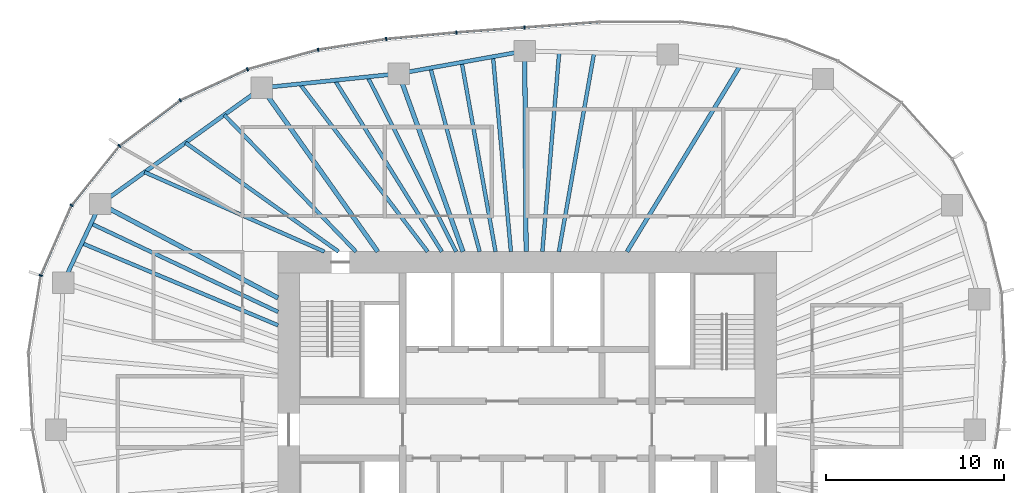
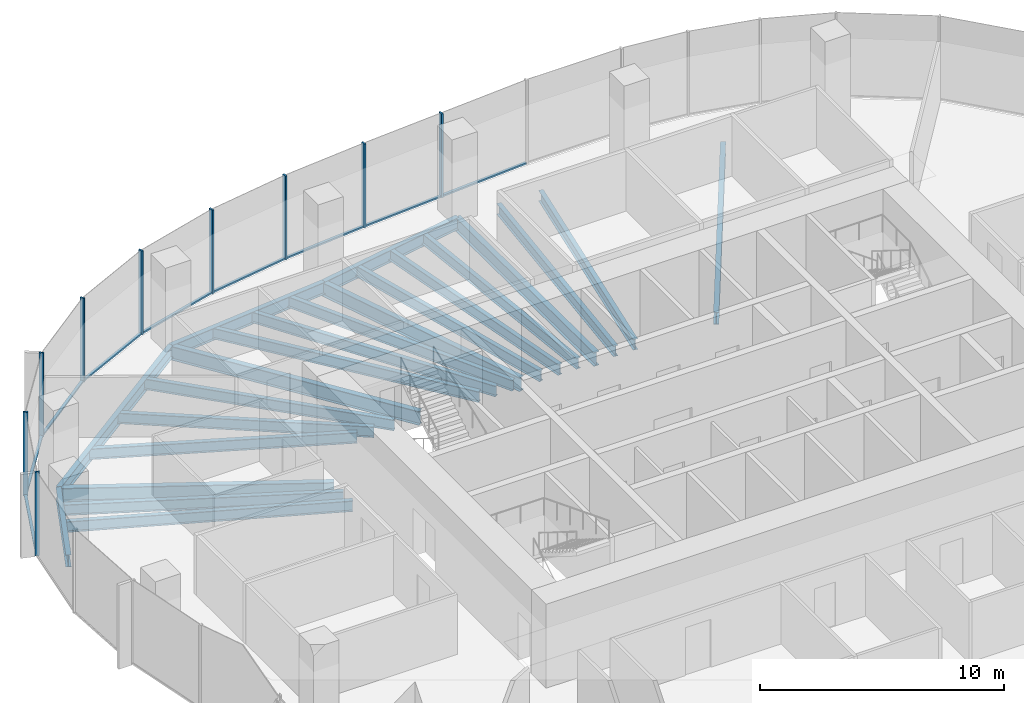
# One storey, part 5 of 12: 22 beams, 18 members, 6 elements without a shape of their own.
"""IFC4 building model written with IfcOpenShell, lengths in metres."""

from ifc_helpers import new_model, si_unit, direction, frame, origin, origin_2d, place, context, subcontext, project, spatial, rectangle, i_section, extrude, material, material_profile, profile_set, type_object, element, aggregate, save


model = new_model("IFC4")

# Units and contexts
model_context = context("Model", 3, precision=1e-05, world=origin(), true_north=direction((0.0, 1.0)))
body_context = subcontext(model_context, "Body", "Model", "MODEL_VIEW")
ifc_project = project(units=[si_unit("LENGTHUNIT", "METRE"), si_unit("AREAUNIT", "SQUARE_METRE"), si_unit("VOLUMEUNIT", "CUBIC_METRE"), si_unit("PLANEANGLEUNIT", "RADIAN"), si_unit("MASSUNIT", "GRAM", prefix="KILO")], contexts=[model_context])

# Site, building, storey
site_placement = place(None, origin())
site = spatial("IfcSite", under=ifc_project, at=site_placement, CompositionType="ELEMENT")
building_placement = place(site_placement, origin())
building = spatial("IfcBuilding", under=site, at=building_placement, Name="Ghaith Harvest Tower", CompositionType="ELEMENT")
storey_placement = place(building_placement, frame((0.0, 0.0, 232.60009765625)))
storey = spatial("IfcBuildingStorey", under=building, at=storey_placement, Name="L51", CompositionType="ELEMENT", Elevation=232.60009765625)

# Curtain wall, members
ifc_material_1 = material(Name="Black anodised aluminium and fritted glass", Category="aluminium")
curtain_wall_type = type_object("IfcCurtainWallType", Name="CW-H CURTAIN WALL", PredefinedType="NOTDEFINED", material=ifc_material_1)
curtain_wall_1_placement = place(storey_placement, origin())
curtain_wall_1 = element("IfcCurtainWall", 1, at=curtain_wall_1_placement, inside=storey, type_object=curtain_wall_type, Name="Curtain wall CW-H bay 06 L51", PredefinedType="NOTDEFINED")
ifc_material_2 = material(Name="Aluminium, black anodised", Category="aluminium")
ifc_material_profile_1 = material_profile(ifc_material_2, rectangle(XDim=0.080078125, YDim=0.199951171875, at=origin_2d()), Name="CW-H MULLION 80x200")
ifc_profile_set_1 = profile_set([ifc_material_profile_1], Name="Aluminium, black anodised")
member_type_1 = type_object("IfcMemberType", Name="CW-H MULLION 80x200", PredefinedType="MULLION", material=ifc_profile_set_1)
member_1_placement = place(storey_placement, frame((-0.154541015625, 22.590576171875, 0.0), z_axis=(0.0, 0.0, 1.0), x_axis=(-0.997329249665, -0.073036756239, 0.0)))
member_1 = element("IfcMember", 2, at=member_1_placement, type_object=member_type_1, Name="CW-H mullion 1 bay 06 L51", PredefinedType="MULLION", context=body_context, shape_type="SweptSolid", body=[
    extrude(rectangle(XDim=0.080078125, YDim=0.199951171875, at=origin_2d()), origin(), (0.0, 0.0, 1.0), 4.199951171875),
])
member_2_placement = place(storey_placement, frame((-3.984375, 22.310302734375, 0.0), z_axis=(0.0, 0.0, 1.0), x_axis=(-0.996522526822, -0.083323787336, 0.0)))
member_2 = element("IfcMember", 3, at=member_2_placement, type_object=member_type_1, Name="CW-H mullion 2 bay 06 L51", PredefinedType="MULLION", context=body_context, shape_type="SweptSolid", body=[
    extrude(rectangle(XDim=0.080078125, YDim=0.199951171875, at=origin_2d()), origin(), (0.0, 0.0, 1.0), 4.199951171875),
])

curtain_wall_2_placement = place(storey_placement, origin())
curtain_wall_2 = element("IfcCurtainWall", 4, at=curtain_wall_2_placement, inside=storey, type_object=curtain_wall_type, Name="Curtain wall CW-H bay 07 L51", PredefinedType="NOTDEFINED")
member_3_placement = place(storey_placement, frame((-7.924560546875, 21.94091796875, 0.0), z_axis=(0.0, 0.0, 1.0), x_axis=(-0.992235485325, -0.124373396119, 0.0)))
member_3 = element("IfcMember", 5, at=member_3_placement, type_object=member_type_1, Name="CW-H mullion 1 bay 07 L51", PredefinedType="MULLION", context=body_context, shape_type="SweptSolid", body=[
    extrude(rectangle(XDim=0.080078125, YDim=0.199951171875, at=origin_2d()), origin(), (0.0, 0.0, 1.0), 4.199951171875),
])
member_4_placement = place(storey_placement, frame((-11.75244140625, 21.336669921875, 0.0), z_axis=(0.0, 0.0, 1.0), x_axis=(-0.977086484172, -0.212842670646, 0.0)))
member_4 = element("IfcMember", 6, at=member_4_placement, type_object=member_type_1, Name="CW-H mullion 2 bay 07 L51", PredefinedType="MULLION", context=body_context, shape_type="SweptSolid", body=[
    extrude(rectangle(XDim=0.080078125, YDim=0.199951171875, at=origin_2d()), origin(), (0.0, 0.0, 1.0), 4.199951171875),
])

curtain_wall_3_placement = place(storey_placement, origin())
curtain_wall_3 = element("IfcCurtainWall", 7, at=curtain_wall_3_placement, inside=storey, type_object=curtain_wall_type, Name="Curtain wall CW-H bay 08 L51", PredefinedType="NOTDEFINED")
member_5_placement = place(storey_placement, frame((-15.720947265625, 20.242431640625, 0.0), z_axis=(0.0, 0.0, 1.0), x_axis=(-0.938930986476, -0.344105510906, 0.0)))
member_5 = element("IfcMember", 8, at=member_5_placement, type_object=member_type_1, Name="CW-H mullion 1 bay 08 L51", PredefinedType="MULLION", context=body_context, shape_type="SweptSolid", body=[
    extrude(rectangle(XDim=0.080078125, YDim=0.199951171875, at=origin_2d()), origin(), (0.0, 0.0, 1.0), 4.199951171875),
])
member_6_placement = place(storey_placement, frame((-19.4951171875, 18.4990234375, 0.0), z_axis=(0.0, 0.0, 1.0), x_axis=(-0.857998754004, -0.513651767376, 0.0)))
member_6 = element("IfcMember", 9, at=member_6_placement, type_object=member_type_1, Name="CW-H mullion 2 bay 08 L51", PredefinedType="MULLION", context=body_context, shape_type="SweptSolid", body=[
    extrude(rectangle(XDim=0.080078125, YDim=0.199951171875, at=origin_2d()), origin(), (0.0, 0.0, 1.0), 4.199951171875),
])

curtain_wall_4_placement = place(storey_placement, origin())
curtain_wall_4 = element("IfcCurtainWall", 10, at=curtain_wall_4_placement, inside=storey, type_object=curtain_wall_type, Name="Curtain wall CW-H bay 09 L51", PredefinedType="NOTDEFINED")
member_7_placement = place(storey_placement, frame((-22.908203125, 15.939697265625, 0.0), z_axis=(0.0, 0.0, 1.0), x_axis=(-0.719146135082, -0.694858860774, 0.0)))
member_7 = element("IfcMember", 11, at=member_7_placement, type_object=member_type_1, Name="CW-H mullion 1 bay 09 L51", PredefinedType="MULLION", context=body_context, shape_type="SweptSolid", body=[
    extrude(rectangle(XDim=0.080078125, YDim=0.199951171875, at=origin_2d()), origin(), (0.0, 0.0, 1.0), 4.199951171875),
])
member_8_placement = place(storey_placement, frame((-25.599609375, 12.6005859375, 0.0), z_axis=(0.0, 0.0, 1.0), x_axis=(-0.518769201232, -0.854914332464, 0.0)))
member_8 = element("IfcMember", 12, at=member_8_placement, type_object=member_type_1, Name="CW-H mullion 2 bay 09 L51", PredefinedType="MULLION", context=body_context, shape_type="SweptSolid", body=[
    extrude(rectangle(XDim=0.080078125, YDim=0.199951171875, at=origin_2d()), origin(), (0.0, 0.0, 1.0), 4.199951171875),
])

# Curtain wall, member
curtain_wall_5_placement = place(storey_placement, origin())
curtain_wall_5 = element("IfcCurtainWall", 13, at=curtain_wall_5_placement, inside=storey, type_object=curtain_wall_type, Name="Curtain wall CW-H bay 10 L51", PredefinedType="NOTDEFINED")
member_9_placement = place(storey_placement, frame((-27.32568359375, 8.659912109375, 0.0), z_axis=(0.0, 0.0, 1.0), x_axis=(-0.280520268431, -0.959848102045, 0.0)))
member_9 = element("IfcMember", 14, at=member_9_placement, type_object=member_type_1, Name="CW-H mullion 1 bay 10 L51", PredefinedType="MULLION", context=body_context, shape_type="SweptSolid", body=[
    extrude(rectangle(XDim=0.080078125, YDim=0.199951171875, at=origin_2d()), origin(), (0.0, 0.0, 1.0), 4.199951171875),
])
aggregate(curtain_wall_5, [member_9])

curtain_wall_6_placement = place(storey_placement, origin())
curtain_wall_6 = element("IfcCurtainWall", 15, at=curtain_wall_6_placement, inside=storey, type_object=curtain_wall_type, Name="Curtain wall CW-H bay 05 L51", PredefinedType="NOTDEFINED")
ifc_material_3 = material(Name="Aluminium, black anodised", Category="aluminium")
ifc_material_profile_2 = material_profile(ifc_material_3, rectangle(XDim=0.1298828125, YDim=0.080078125, at=origin_2d()), Name="CW-H TRANSOM 130x80")
ifc_profile_set_2 = profile_set([ifc_material_profile_2], Name="Aluminium, black anodised")
member_type_2 = type_object("IfcMemberType", Name="CW-H TRANSOM 130x80", PredefinedType="USERDEFINED", material=ifc_profile_set_2)
member_10_placement = place(storey_placement, frame((4.01953125, 22.896484375, 0.039794921875), z_axis=(-0.997325457985, -0.07308851384, 0.0), x_axis=(0.07308851384, -0.997325457985, 0.0)))
member_10 = element("IfcMember", 16, at=member_10_placement, type_object=member_type_2, Name="CW-H transom 2 bay 05 L51", ObjectType="TRANSOM", PredefinedType="USERDEFINED", context=body_context, shape_type="SweptSolid", body=[
    extrude(rectangle(XDim=0.1298828125, YDim=0.080078125, at=origin_2d()), origin(), (0.0, 0.0, 1.0), 4.145263671875),
])
aggregate(curtain_wall_6, [member_10])

# Member
member_11_placement = place(storey_placement, frame((-0.194580078125, 22.587646484375, 0.039794921875), z_axis=(-0.997332916649, -0.072986665689, 0.0), x_axis=(0.072986665689, -0.997332916649, 0.0)))
member_11 = element("IfcMember", 17, at=member_11_placement, type_object=member_type_2, Name="CW-H transom 1 bay 06 L51", ObjectType="TRANSOM", PredefinedType="USERDEFINED", context=body_context, shape_type="SweptSolid", body=[
    extrude(rectangle(XDim=0.1298828125, YDim=0.080078125, at=origin_2d()), origin(), (0.0, 0.0, 1.0), 3.759765625),
])

member_12_placement = place(storey_placement, frame((-4.024169921875, 22.306640625, 0.039794921875), z_axis=(-0.995631116984, -0.093373866217, 0.0), x_axis=(0.093373866217, -0.995631116984, 0.0)))
member_12 = element("IfcMember", 18, at=member_12_placement, type_object=member_type_2, Name="CW-H transom 2 bay 06 L51", ObjectType="TRANSOM", PredefinedType="USERDEFINED", context=body_context, shape_type="SweptSolid", body=[
    extrude(rectangle(XDim=0.1298828125, YDim=0.080078125, at=origin_2d()), origin(), (0.0, 0.0, 1.0), 3.87744140625),
])

aggregate(curtain_wall_1, [member_1, member_11, member_2, member_12])

member_13_placement = place(storey_placement, frame((-7.964111328125, 21.9345703125, 0.039794921875), z_axis=(-0.98776765914, -0.155932843097, 0.0), x_axis=(0.155932843097, -0.98776765914, 0.0)))
member_13 = element("IfcMember", 19, at=member_13_placement, type_object=member_type_2, Name="CW-H transom 1 bay 07 L51", ObjectType="TRANSOM", PredefinedType="USERDEFINED", context=body_context, shape_type="SweptSolid", body=[
    extrude(rectangle(XDim=0.1298828125, YDim=0.080078125, at=origin_2d()), origin(), (0.0, 0.0, 1.0), 3.795166015625),
])

member_14_placement = place(storey_placement, frame((-11.791015625, 21.325927734375, 0.039794921875), z_axis=(-0.964038584245, -0.265762315024, 0.0), x_axis=(0.265762315024, -0.964038584245, 0.0)))
member_14 = element("IfcMember", 20, at=member_14_placement, type_object=member_type_2, Name="CW-H transom 2 bay 07 L51", ObjectType="TRANSOM", PredefinedType="USERDEFINED", context=body_context, shape_type="SweptSolid", body=[
    extrude(rectangle(XDim=0.1298828125, YDim=0.080078125, at=origin_2d()), origin(), (0.0, 0.0, 1.0), 4.03662109375),
])

aggregate(curtain_wall_2, [member_3, member_13, member_4, member_14])

member_15_placement = place(storey_placement, frame((-15.75732421875, 20.2255859375, 0.039794921875), z_axis=(-0.907831404762, -0.419335355686, 0.0), x_axis=(0.419335355686, -0.907831404762, 0.0)))
member_15 = element("IfcMember", 21, at=member_15_placement, type_object=member_type_2, Name="CW-H transom 1 bay 08 L51", ObjectType="TRANSOM", PredefinedType="USERDEFINED", context=body_context, shape_type="SweptSolid", body=[
    extrude(rectangle(XDim=0.1298828125, YDim=0.080078125, at=origin_2d()), origin(), (0.0, 0.0, 1.0), 4.0771484375),
])

member_16_placement = place(storey_placement, frame((-19.527099609375, 18.47509765625, 0.039794921875), z_axis=(-0.800041988873, -0.599944010755, 0.0), x_axis=(0.599944010755, -0.800041988873, 0.0)))
member_16 = element("IfcMember", 22, at=member_16_placement, type_object=member_type_2, Name="CW-H transom 2 bay 08 L51", ObjectType="TRANSOM", PredefinedType="USERDEFINED", context=body_context, shape_type="SweptSolid", body=[
    extrude(rectangle(XDim=0.1298828125, YDim=0.080078125, at=origin_2d()), origin(), (0.0, 0.0, 1.0), 4.186279296875),
])

aggregate(curtain_wall_3, [member_5, member_15, member_6, member_16])

member_17_placement = place(storey_placement, frame((-22.933349609375, 15.90869140625, 0.039794921875), z_axis=(-0.6275347306, -0.778588570357, 0.0), x_axis=(0.778588570357, -0.6275347306, 0.0)))
member_17 = element("IfcMember", 23, at=member_17_placement, type_object=member_type_2, Name="CW-H transom 1 bay 09 L51", ObjectType="TRANSOM", PredefinedType="USERDEFINED", context=body_context, shape_type="SweptSolid", body=[
    extrude(rectangle(XDim=0.1298828125, YDim=0.080078125, at=origin_2d()), origin(), (0.0, 0.0, 1.0), 4.208740234375),
])

member_18_placement = place(storey_placement, frame((-25.61572265625, 12.56396484375, 0.039794921875), z_axis=(-0.401185844746, -0.915996680112, 0.0), x_axis=(0.915996680112, -0.401185844746, 0.0)))
member_18 = element("IfcMember", 24, at=member_18_placement, type_object=member_type_2, Name="CW-H transom 2 bay 09 L51", ObjectType="TRANSOM", PredefinedType="USERDEFINED", context=body_context, shape_type="SweptSolid", body=[
    extrude(rectangle(XDim=0.1298828125, YDim=0.080078125, at=origin_2d()), origin(), (0.0, 0.0, 1.0), 4.22216796875),
])

aggregate(curtain_wall_4, [member_7, member_17, member_8, member_18])

# Beams
ifc_material_4 = material(Name="Steel ASTM A992 Grade 50", Category="steel")
ifc_material_profile_3 = material_profile(ifc_material_4, i_section(OverallWidth=0.22900390625, OverallDepth=0.612060546875, WebThickness=0.011962890625, FlangeThickness=0.01953125, at=origin_2d()), Name="W610X125")
ifc_profile_set_3 = profile_set([ifc_material_profile_3], Name="Steel ASTM A992 Grade 50")
beam_type_1 = type_object("IfcBeamType", Name="E610-125 W610X125", PredefinedType="SPANDREL", material=ifc_profile_set_3)
beam_1_placement = place(storey_placement, frame((-0.14599609375, 21.27099609375, -0.47607421875), z_axis=(-0.984177047684, -0.177187863051, 0.0), x_axis=(0.177187863051, -0.984177047684, 0.0)))
element("IfcBeam", 25, at=beam_1_placement, inside=storey, type_object=beam_type_1, Name="Edge beam E06 L51", PredefinedType="SPANDREL", context=body_context, shape_type="SweptSolid", body=[
    extrude(i_section(OverallWidth=0.22900390625, OverallDepth=0.612060546875, WebThickness=0.011962890625, FlangeThickness=0.01953125, at=origin_2d()), origin(), (0.0, 0.0, 1.0), 7.189697265625),
])
beam_2_placement = place(storey_placement, frame((-7.221923828125, 19.9970703125, -0.47607421875), z_axis=(-0.994669141618, -0.103117887451, 0.0), x_axis=(0.103117887451, -0.994669141618, 0.0)))
element("IfcBeam", 26, at=beam_2_placement, inside=storey, type_object=beam_type_1, Name="Edge beam E07 L51", PredefinedType="SPANDREL", context=body_context, shape_type="SweptSolid", body=[
    extrude(i_section(OverallWidth=0.22900390625, OverallDepth=0.612060546875, WebThickness=0.011962890625, FlangeThickness=0.01953125, at=origin_2d()), origin(), (0.0, 0.0, 1.0), 7.730224609375),
])
beam_3_placement = place(storey_placement, frame((-14.910888671875, 19.199951171875, -0.47607421875), z_axis=(-0.812050311838, -0.583587432219, 0.0), x_axis=(0.583587432219, -0.812050311838, 0.0)))
element("IfcBeam", 27, at=beam_3_placement, inside=storey, type_object=beam_type_1, Name="Edge beam E08 L51", PredefinedType="SPANDREL", context=body_context, shape_type="SweptSolid", body=[
    extrude(i_section(OverallWidth=0.22900390625, OverallDepth=0.612060546875, WebThickness=0.011962890625, FlangeThickness=0.01953125, at=origin_2d()), origin(), (0.0, 0.0, 1.0), 11.175537109375),
])
beam_4_placement = place(storey_placement, frame((-23.986083984375, 12.677978515625, -0.47607421875), z_axis=(-0.426170247297, -0.904642979478, 0.0), x_axis=(0.904642979478, -0.426170247297, 0.0)))
element("IfcBeam", 28, at=beam_4_placement, inside=storey, type_object=beam_type_1, Name="Edge beam E09 L51", PredefinedType="SPANDREL", context=body_context, shape_type="SweptSolid", body=[
    extrude(i_section(OverallWidth=0.22900390625, OverallDepth=0.612060546875, WebThickness=0.011962890625, FlangeThickness=0.01953125, at=origin_2d()), origin(), (0.0, 0.0, 1.0), 4.882568359375),
])
ifc_material_5 = material(Name="Steel ASTM A992 Grade 50", Category="steel")
ifc_material_profile_4 = material_profile(ifc_material_5, i_section(OverallWidth=0.256103515625, OverallDepth=0.693115234375, WebThickness=0.014404296875, FlangeThickness=0.023681640625, at=origin_2d()), Name="W690X170")
ifc_profile_set_4 = profile_set([ifc_material_profile_4], Name="Steel ASTM A992 Grade 50")
beam_type_2 = type_object("IfcBeamType", Name="G690-170 W690X170", PredefinedType="BEAM", material=ifc_profile_set_4)
beam_5_placement = place(storey_placement, frame((-0.068359375, 10.0, -0.5166015625), z_axis=(-0.006888022705, 0.99997627729, 0.0), x_axis=(-0.99997627729, -0.006888022705, 0.0)))
element("IfcBeam", 29, at=beam_5_placement, inside=storey, type_object=beam_type_2, Name="Radial girder G06 L51", PredefinedType="BEAM", context=body_context, shape_type="SweptSolid", body=[
    extrude(i_section(OverallWidth=0.256103515625, OverallDepth=0.693115234375, WebThickness=0.014404296875, FlangeThickness=0.023681640625, at=origin_2d()), origin(), (0.0, 0.0, 1.0), 11.271240234375),
])
beam_6_placement = place(storey_placement, frame((-3.61181640625, 10.0, -0.5166015625), z_axis=(-0.339648979266, 0.940552269086, 0.0), x_axis=(-0.940552269086, -0.339648979266, 0.0)))
element("IfcBeam", 30, at=beam_6_placement, inside=storey, type_object=beam_type_2, Name="Radial girder G07 L51", PredefinedType="BEAM", context=body_context, shape_type="SweptSolid", body=[
    extrude(i_section(OverallWidth=0.256103515625, OverallDepth=0.693115234375, WebThickness=0.014404296875, FlangeThickness=0.023681640625, at=origin_2d()), origin(), (0.0, 0.0, 1.0), 10.62890625),
])
beam_7_placement = place(storey_placement, frame((-8.39990234375, 10.0, -0.5166015625), z_axis=(-0.577683734365, 0.816260683268, 0.0), x_axis=(-0.816260683268, -0.577683734365, 0.0)))
element("IfcBeam", 31, at=beam_7_placement, inside=storey, type_object=beam_type_2, Name="Radial girder G08 L51", PredefinedType="BEAM", context=body_context, shape_type="SweptSolid", body=[
    extrude(i_section(OverallWidth=0.256103515625, OverallDepth=0.693115234375, WebThickness=0.014404296875, FlangeThickness=0.023681640625, at=origin_2d()), origin(), (0.0, 0.0, 1.0), 11.270751953125),
])
beam_8_placement = place(storey_placement, frame((-14.0, 7.39990234375, -0.5166015625), z_axis=(-0.884105273337, 0.467287776062, 0.0), x_axis=(-0.467287776062, -0.884105273337, 0.0)))
element("IfcBeam", 32, at=beam_8_placement, inside=storey, type_object=beam_type_2, Name="Radial girder G09 L51", PredefinedType="BEAM", context=body_context, shape_type="SweptSolid", body=[
    extrude(i_section(OverallWidth=0.256103515625, OverallDepth=0.693115234375, WebThickness=0.014404296875, FlangeThickness=0.023681640625, at=origin_2d()), origin(), (0.0, 0.0, 1.0), 11.295166015625),
])
ifc_material_6 = material(Name="Steel ASTM A992 Grade 50", Category="steel")
ifc_material_profile_5 = material_profile(ifc_material_6, i_section(OverallWidth=0.2109375, OverallDepth=0.5390625, WebThickness=0.01171875, FlangeThickness=0.018798828125, at=origin_2d()), Name="W530X109")
ifc_profile_set_5 = profile_set([ifc_material_profile_5], Name="Steel ASTM A992 Grade 50")
beam_type_3 = type_object("IfcBeamType", Name="J530-109 W530X109", PredefinedType="JOIST", material=ifc_profile_set_5)
beam_9_placement = place(storey_placement, frame((1.772705078125, 10.0, -0.439697265625), z_axis=(0.17455599258, 0.984647249249, 0.0), x_axis=(-0.984647249249, 0.17455599258, 0.0)))
element("IfcBeam", 33, at=beam_9_placement, inside=storey, type_object=beam_type_3, Name="Joist J05.2 L51", PredefinedType="JOIST", context=body_context, shape_type="SweptSolid", body=[
    extrude(i_section(OverallWidth=0.2109375, OverallDepth=0.5390625, WebThickness=0.01171875, FlangeThickness=0.018798828125, at=origin_2d()), origin(), (0.0, 0.0, 1.0), 11.3486328125),
])
beam_10_placement = place(storey_placement, frame((0.844970703125, 10.0, -0.439697265625), z_axis=(0.084213263804, 0.996447753873, 0.0), x_axis=(-0.996447753873, 0.084213263804, 0.0)))
element("IfcBeam", 34, at=beam_10_placement, inside=storey, type_object=beam_type_3, Name="Joist J05.3 L51", PredefinedType="JOIST", context=body_context, shape_type="SweptSolid", body=[
    extrude(i_section(OverallWidth=0.2109375, OverallDepth=0.5390625, WebThickness=0.01171875, FlangeThickness=0.018798828125, at=origin_2d()), origin(), (0.0, 0.0, 1.0), 11.262939453125),
])
beam_11_placement = place(storey_placement, frame((-0.92041015625, 10.0, -0.439697265625), z_axis=(-0.091648687045, 0.995791402937, 0.0), x_axis=(-0.995791402937, -0.091648687045, 0.0)))
element("IfcBeam", 35, at=beam_11_placement, inside=storey, type_object=beam_type_3, Name="Joist J06.1 L51", PredefinedType="JOIST", context=body_context, shape_type="SweptSolid", body=[
    extrude(i_section(OverallWidth=0.2109375, OverallDepth=0.5390625, WebThickness=0.01171875, FlangeThickness=0.018798828125, at=origin_2d()), origin(), (0.0, 0.0, 1.0), 10.99658203125),
])
beam_12_placement = place(storey_placement, frame((-1.785888671875, 10.0, -0.439697265625), z_axis=(-0.175793767479, 0.984427016754, 0.0), x_axis=(-0.984427016754, -0.175793767479, 0.0)))
element("IfcBeam", 36, at=beam_12_placement, inside=storey, type_object=beam_type_3, Name="Joist J06.2 L51", PredefinedType="JOIST", context=body_context, shape_type="SweptSolid", body=[
    extrude(i_section(OverallWidth=0.2109375, OverallDepth=0.5390625, WebThickness=0.01171875, FlangeThickness=0.018798828125, at=origin_2d()), origin(), (0.0, 0.0, 1.0), 10.802001953125),
])
beam_13_placement = place(storey_placement, frame((-2.677978515625, 10.0, -0.439697265625), z_axis=(-0.258674007994, 0.965964677195, 0.0), x_axis=(-0.965964677195, -0.258674007994, 0.0)))
element("IfcBeam", 37, at=beam_13_placement, inside=storey, type_object=beam_type_3, Name="Joist J06.3 L51", PredefinedType="JOIST", context=body_context, shape_type="SweptSolid", body=[
    extrude(i_section(OverallWidth=0.2109375, OverallDepth=0.5390625, WebThickness=0.01171875, FlangeThickness=0.018798828125, at=origin_2d()), origin(), (0.0, 0.0, 1.0), 10.68115234375),
])
beam_14_placement = place(storey_placement, frame((-4.0, 10.0, -0.439697265625), z_axis=(-0.451646219201, 0.892197115374, 0.0), x_axis=(-0.892197115374, -0.451646219201, 0.0)))
element("IfcBeam", 38, at=beam_14_placement, inside=storey, type_object=beam_type_3, Name="Joist J07.1 L51", PredefinedType="JOIST", context=body_context, shape_type="SweptSolid", body=[
    extrude(i_section(OverallWidth=0.2109375, OverallDepth=0.5390625, WebThickness=0.01171875, FlangeThickness=0.018798828125, at=origin_2d()), origin(), (0.0, 0.0, 1.0), 11.001953125),
])
beam_15_placement = place(storey_placement, frame((-4.800048828125, 10.0, -0.439697265625), z_axis=(-0.529627564093, 0.848230300893, 0.0), x_axis=(-0.848230300893, -0.529627564093, 0.0)))
element("IfcBeam", 39, at=beam_15_placement, inside=storey, type_object=beam_type_3, Name="Joist J07.2 L51", PredefinedType="JOIST", context=body_context, shape_type="SweptSolid", body=[
    extrude(i_section(OverallWidth=0.2109375, OverallDepth=0.5390625, WebThickness=0.01171875, FlangeThickness=0.018798828125, at=origin_2d()), origin(), (0.0, 0.0, 1.0), 11.34716796875),
])
beam_16_placement = place(storey_placement, frame((-5.60009765625, 10.0, -0.439697265625), z_axis=(-0.605976135502, 0.795482823952, 0.0), x_axis=(-0.795482823952, -0.605976135502, 0.0)))
element("IfcBeam", 40, at=beam_16_placement, inside=storey, type_object=beam_type_3, Name="Joist J07.3 L51", PredefinedType="JOIST", context=body_context, shape_type="SweptSolid", body=[
    extrude(i_section(OverallWidth=0.2109375, OverallDepth=0.5390625, WebThickness=0.01171875, FlangeThickness=0.018798828125, at=origin_2d()), origin(), (0.0, 0.0, 1.0), 11.84326171875),
])
beam_17_placement = place(storey_placement, frame((-9.626708984375, 10.0, -0.439697265625), z_axis=(-0.69354049188, 0.720417647009, 0.0), x_axis=(-0.720417647009, -0.69354049188, 0.0)))
element("IfcBeam", 41, at=beam_17_placement, inside=storey, type_object=beam_type_3, Name="Joist J08.1 L51", PredefinedType="JOIST", context=body_context, shape_type="SweptSolid", body=[
    extrude(i_section(OverallWidth=0.2109375, OverallDepth=0.5390625, WebThickness=0.01171875, FlangeThickness=0.018798828125, at=origin_2d()), origin(), (0.0, 0.0, 1.0), 10.6640625),
])
beam_18_placement = place(storey_placement, frame((-10.60009765625, 10.0, -0.439697265625), z_axis=(-0.814837070547, 0.579690045164, 0.0), x_axis=(-0.579690045164, -0.814837070547, 0.0)))
element("IfcBeam", 42, at=beam_18_placement, inside=storey, type_object=beam_type_3, Name="Joist J08.2 L51", PredefinedType="JOIST", context=body_context, shape_type="SweptSolid", body=[
    extrude(i_section(OverallWidth=0.2109375, OverallDepth=0.5390625, WebThickness=0.01171875, FlangeThickness=0.018798828125, at=origin_2d()), origin(), (0.0, 0.0, 1.0), 10.5537109375),
])
beam_19_placement = place(storey_placement, frame((-11.39990234375, 10.0, -0.439697265625), z_axis=(-0.914561290029, 0.40444733499, 0.0), x_axis=(-0.40444733499, -0.914561290029, 0.0)))
element("IfcBeam", 43, at=beam_19_placement, inside=storey, type_object=beam_type_3, Name="Joist J08.3 L51", PredefinedType="JOIST", context=body_context, shape_type="SweptSolid", body=[
    extrude(i_section(OverallWidth=0.2109375, OverallDepth=0.5390625, WebThickness=0.01171875, FlangeThickness=0.018798828125, at=origin_2d()), origin(), (0.0, 0.0, 1.0), 11.041748046875),
])
beam_20_placement = place(storey_placement, frame((-14.0, 6.614990234375, -0.439697265625), z_axis=(-0.904154184779, 0.427206285238, 0.0), x_axis=(-0.427206285238, -0.904154184779, 0.0)))
element("IfcBeam", 44, at=beam_20_placement, inside=storey, type_object=beam_type_3, Name="Joist J09.1 L51", PredefinedType="JOIST", context=body_context, shape_type="SweptSolid", body=[
    extrude(i_section(OverallWidth=0.2109375, OverallDepth=0.5390625, WebThickness=0.01171875, FlangeThickness=0.018798828125, at=origin_2d()), origin(), (0.0, 0.0, 1.0), 11.61767578125),
])
beam_21_placement = place(storey_placement, frame((-14.0, 5.862548828125, -0.439697265625), z_axis=(-0.922380898158, 0.386281605455, 0.0), x_axis=(-0.386281605455, -0.922380898158, 0.0)))
element("IfcBeam", 45, at=beam_21_placement, inside=storey, type_object=beam_type_3, Name="Joist J09.2 L51", PredefinedType="JOIST", context=body_context, shape_type="SweptSolid", body=[
    extrude(i_section(OverallWidth=0.2109375, OverallDepth=0.5390625, WebThickness=0.01171875, FlangeThickness=0.018798828125, at=origin_2d()), origin(), (0.0, 0.0, 1.0), 11.94970703125),
])
ifc_material_7 = material(Name="Steel ASTM A992 Grade 50", Category="steel")
ifc_material_profile_6 = material_profile(ifc_material_7, i_section(OverallWidth=0.22900390625, OverallDepth=0.612060546875, WebThickness=0.011962890625, FlangeThickness=0.01953125, at=origin_2d()), Name="W610X125")
ifc_profile_set_6 = profile_set([ifc_material_profile_6], Name="Steel ASTM A992 Grade 50")
beam_type_4 = type_object("IfcBeamType", Name="J610-125 W610X125", PredefinedType="JOIST", material=ifc_profile_set_6)
beam_22_placement = place(storey_placement, frame((5.60009765625, 10.0, -0.47607421875), z_axis=(0.519863845761, 0.854249133374, 0.0), x_axis=(-0.854249133374, 0.519863845761, 0.0)))
element("IfcBeam", 46, at=beam_22_placement, inside=storey, type_object=beam_type_4, Name="Joist J04.2 L51", PredefinedType="JOIST", context=body_context, shape_type="SweptSolid", body=[
    extrude(i_section(OverallWidth=0.22900390625, OverallDepth=0.612060546875, WebThickness=0.011962890625, FlangeThickness=0.01953125, at=origin_2d()), origin(), (0.0, 0.0, 1.0), 12.209716796875),
])

save(model, "model.ifc")
